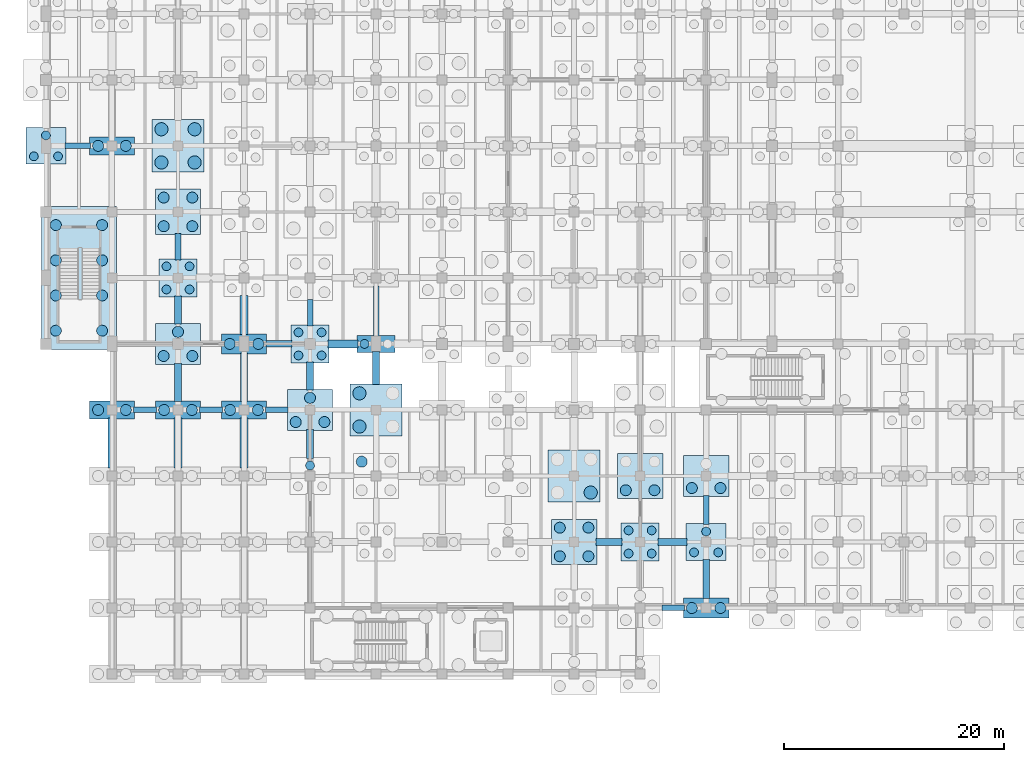
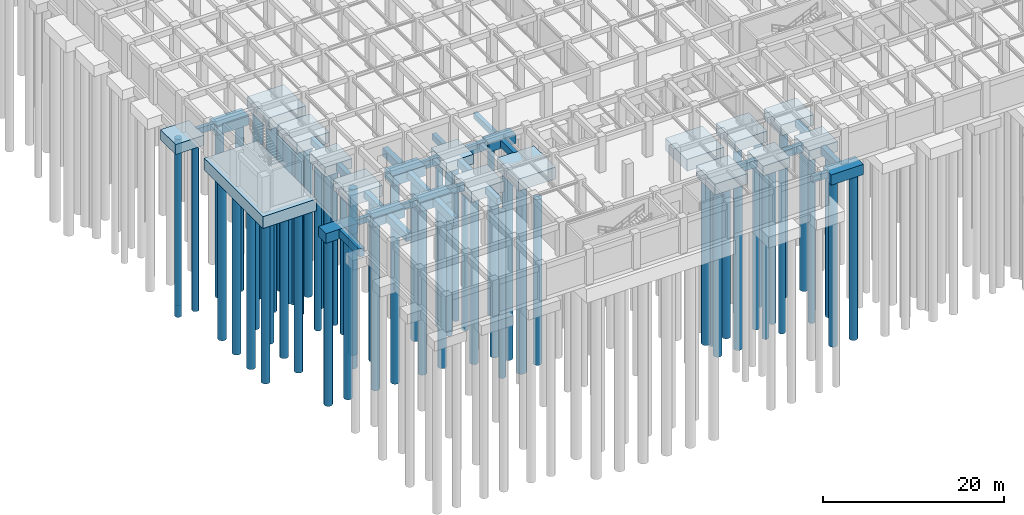
# One storey, part 2 of 54: 66 piles, 46 footings.
"""IFC4 building model written with IfcOpenShell, lengths in metres."""

import ifcopenshell
import ifcopenshell.guid

model = None  # the IFC model being written
_history = None  # IfcOwnerHistory: only IFC2X3 demands one
_inside = {}  # id of a spatial element -> (the spatial element, [elements in it])
_under = {}  # id of a project, library or spatial element -> (it, [spatial elements below it])
_declared = {}  # id of a project -> (the project, [libraries it declares])
_typed = {}  # id of a type object -> (the type object, [elements of that type])
_made_of = {}  # id of a material, layer set ... -> (it, [elements and type objects made of it])


def new_model(schema):
    """Start an empty IFC model of exactly this schema.

    Asked for "IFC4X3", IfcOpenShell would pick the latest addendum, in which some entities
    have other attributes; the version numbers below select the first issue.
    IFC2X3 requires an IfcOwnerHistory on every rooted entity: one is made here for all.
    """
    global model, _history
    if schema == "IFC4X3":
        model = ifcopenshell.file(schema_version=(4, 3, 0, 0))
    else:
        model = ifcopenshell.file(schema=schema)
    _inside.clear()
    _under.clear()
    _declared.clear()
    _typed.clear()
    _made_of.clear()
    _history = None
    if model.schema == "IFC2X3":
        org = make("IfcOrganization", Name="unknown")
        user = make(
            "IfcPersonAndOrganization",
            ThePerson=make("IfcPerson", FamilyName="unknown"),
            TheOrganization=org,
        )
        app = make(
            "IfcApplication",
            ApplicationDeveloper=org,
            Version="unknown",
            ApplicationFullName="unknown",
            ApplicationIdentifier="unknown",
        )
        _history = make(
            "IfcOwnerHistory",
            OwningUser=user,
            OwningApplication=app,
            ChangeAction="ADDED",
            CreationDate=0,
        )
    return model


def make(cls, **values):
    """One entity of the class cls with the attributes given. An attribute that is None is left unset."""
    return model.create_entity(
        cls, **{name: value for name, value in values.items() if value is not None}
    )


def rooted(cls, **values):
    """An entity with a GlobalId (a new one), such as an element, a storey or a relation."""
    return make(cls, GlobalId=ifcopenshell.guid.new(), OwnerHistory=_history, **values)


def si_unit(unit_type, name, prefix=None):
    """IfcSIUnit, for example si_unit("LENGTHUNIT", "METRE", prefix="MILLI")."""
    return make("IfcSIUnit", UnitType=unit_type, Prefix=prefix, Name=name)


def assignment(units):
    """IfcUnitAssignment: the units of a project."""
    return None if units is None else make("IfcUnitAssignment", Units=units)


def point(xyz):
    """IfcCartesianPoint."""
    return None if xyz is None else make("IfcCartesianPoint", Coordinates=xyz)


def direction(xyz):
    """IfcDirection."""
    return None if xyz is None else make("IfcDirection", DirectionRatios=xyz)


def frame(location, z_axis=None, x_axis=None):
    """IfcAxis2Placement3D, a coordinate frame: its origin and axes. An axis left out is left unset."""
    return make(
        "IfcAxis2Placement3D",
        Location=point(location),
        Axis=direction(z_axis),
        RefDirection=direction(x_axis),
    )


def frame_2d(location, x_axis=None):
    """IfcAxis2Placement2D, a coordinate frame in the plane: its origin and x axis."""
    return make(
        "IfcAxis2Placement2D", Location=point(location), RefDirection=direction(x_axis)
    )


def origin():
    """The frame at (0, 0, 0) with its axes left unset."""
    return frame((0.0, 0.0, 0.0))


def origin_2d():
    """The frame at (0, 0) in the plane with its x axis left unset."""
    return frame_2d((0.0, 0.0))


def place(relative_to, where):
    """IfcLocalPlacement: puts the frame where relative to a parent placement (None: the world)."""
    return make(
        "IfcLocalPlacement", PlacementRelTo=relative_to, RelativePlacement=where
    )


def context(
    kind, dimensions, precision=None, world=None, true_north=None, identifier=None
):
    """IfcGeometricRepresentationContext, for example the 3D "Model" context."""
    return make(
        "IfcGeometricRepresentationContext",
        ContextIdentifier=identifier,
        ContextType=kind,
        CoordinateSpaceDimension=dimensions,
        Precision=precision,
        WorldCoordinateSystem=world,
        TrueNorth=true_north,
    )


def subcontext(parent, identifier, kind, view, scale=None):
    """IfcGeometricRepresentationSubContext, for example "Body" below "Model"."""
    return make(
        "IfcGeometricRepresentationSubContext",
        ContextIdentifier=identifier,
        ContextType=kind,
        ParentContext=parent,
        TargetScale=scale,
        TargetView=view,
    )


def project(units=None, contexts=None):
    """IfcProject with its units and contexts."""
    return rooted(
        "IfcProject",
        Name="project",
        RepresentationContexts=contexts,
        UnitsInContext=assignment(units),
    )


def spatial(cls, under=None, at=None, **own):
    """A site, building, storey or space (cls), placed at a placement, below another one or the project."""
    s = rooted(cls, ObjectPlacement=at, **own)
    if under is not None:
        _under.setdefault(under.id(), (under, []))[1].append(s)
    return s


def profile(cls, at=None, kind="AREA", **sizes):
    """A parametric profile (cls). Its sizes go by their IFC names, for example OverallWidth=200.0."""
    return make(cls, ProfileType=kind, Position=at, **sizes)


def rectangle(**sizes):
    """IfcRectangleProfileDef."""
    return profile("IfcRectangleProfileDef", **sizes)


def circle(**sizes):
    """IfcCircleProfileDef."""
    return profile("IfcCircleProfileDef", **sizes)


def extrude(swept, where, along, depth):
    """IfcExtrudedAreaSolid: the profile swept, set in the frame where, extruded along a direction by depth."""
    return make(
        "IfcExtrudedAreaSolid",
        SweptArea=swept,
        Position=where,
        ExtrudedDirection=direction(along),
        Depth=depth,
    )


def shape(context_of_items, identifier, shape_type, items):
    """IfcShapeRepresentation: the items that make up one representation, for example the "Body"."""
    return make(
        "IfcShapeRepresentation",
        ContextOfItems=context_of_items,
        RepresentationIdentifier=identifier,
        RepresentationType=shape_type,
        Items=items,
    )


def material(Name=None, Category=None):
    """IfcMaterial."""
    return make("IfcMaterial", Name=Name, Category=Category)


def material_profile(
    of_material, cross_section, Name=None, Category=None, Priority=None
):
    """IfcMaterialProfile: a cross section and its material."""
    return make(
        "IfcMaterialProfile",
        Name=Name,
        Material=of_material,
        Profile=cross_section,
        Priority=Priority,
        Category=Category,
    )


def profile_set(profiles, Name=None, composite=None):
    """IfcMaterialProfileSet."""
    return make(
        "IfcMaterialProfileSet",
        Name=Name,
        MaterialProfiles=profiles,
        CompositeProfile=composite,
    )


def made_of(thing, what):
    """Note that an element or type object is made of a material, layer set ...; save() writes the relation."""
    if what is not None:
        _made_of.setdefault(what.id(), (what, []))[1].append(thing)
    return thing


def type_object(cls, material=None, **own):
    """A type object (cls), such as IfcWallType, which elements share."""
    return made_of(rooted(cls, **own), material)


def element(
    cls,
    number,
    at=None,
    inside=None,
    cuts=None,
    type_object=None,
    material=None,
    context=None,
    identifier="Body",
    shape_type=None,
    held_by="IfcProductDefinitionShape",
    body=None,
    shapes=None,
    **own,
):
    """One element of the class cls, such as IfcWall. Its Tag is "e" and its number.

    at: its placement. inside: the storey or other place that contains it. cuts: it is an
    opening in that element (IfcRelVoidsElement). A single representation is given by context,
    identifier, shape_type and body (its items); several are given by shapes. held_by: the class
    of the entity that holds the representations. save() writes the other relations.
    """
    e = rooted(cls, Tag="e%d" % number, ObjectPlacement=at, **own)
    if body is not None:
        shapes = [shape(context, identifier, shape_type, body)]
    if shapes is not None:
        e.Representation = make(held_by, Representations=shapes)
    if inside is not None:
        _inside.setdefault(inside.id(), (inside, []))[1].append(e)
    if cuts is not None:
        rooted(
            "IfcRelVoidsElement", RelatingBuildingElement=cuts, RelatedOpeningElement=e
        )
    if type_object is not None:
        _typed.setdefault(type_object.id(), (type_object, []))[1].append(e)
    return made_of(e, material)


def aggregate(whole, parts):
    """IfcRelAggregates: a whole, such as a stair, and the parts it consists of."""
    return rooted("IfcRelAggregates", RelatingObject=whole, RelatedObjects=parts)


def save(model, path):
    """Write the relations noted so far, then the file.

    IfcRelAggregates (storeys below a building ...), IfcRelContainedInSpatialStructure (elements
    in a storey), IfcRelDefinesByType, IfcRelAssociatesMaterial and IfcRelDeclares: one each for
    every whole, place, type object, material and project.
    """
    for whole, parts in _under.values():
        aggregate(whole, parts)
    for where, things in _inside.values():
        rooted(
            "IfcRelContainedInSpatialStructure",
            RelatedElements=things,
            RelatingStructure=where,
        )
    for kind, things in _typed.values():
        rooted("IfcRelDefinesByType", RelatedObjects=things, RelatingType=kind)
    for what, things in _made_of.values():
        rooted("IfcRelAssociatesMaterial", RelatedObjects=things, RelatingMaterial=what)
    for by, libraries in _declared.values():
        rooted("IfcRelDeclares", RelatingContext=by, RelatedDefinitions=libraries)
    model.write(path)


model = new_model("IFC4")

# Units and contexts
model_context = context("Model", 3, precision=1e-05, world=origin(), true_north=direction((0.0, 1.0)))
body_context = subcontext(model_context, "Body", "Model", "MODEL_VIEW")
ifc_project = project(units=[si_unit("LENGTHUNIT", "METRE"), si_unit("AREAUNIT", "SQUARE_METRE"), si_unit("VOLUMEUNIT", "CUBIC_METRE"), si_unit("PLANEANGLEUNIT", "RADIAN"), si_unit("MASSUNIT", "GRAM", prefix="KILO"), si_unit("THERMODYNAMICTEMPERATUREUNIT", "KELVIN"), si_unit("POWERUNIT", "WATT")], contexts=[model_context])

# Site, building, storey
site_placement = place(None, origin())
site = spatial("IfcSite", under=ifc_project, at=site_placement, CompositionType="ELEMENT")
building_placement = place(site_placement, origin())
building = spatial("IfcBuilding", under=site, at=building_placement, Name="Phaisarnlok Congress Hotel", CompositionType="ELEMENT")
storey_placement = place(building_placement, frame((0.0, 0.0, -4.800048828125)))
storey = spatial("IfcBuildingStorey", under=building, at=storey_placement, Name="B01", CompositionType="ELEMENT", Elevation=-4.800048828125)

# Footings
ifc_material_1 = material(Name="Concrete C40/50", Category="concrete")
footing_type_1 = type_object("IfcFootingType", Name="CAP-2P-A", PredefinedType="PILE_CAP", material=ifc_material_1)
footing_1_placement = place(storey_placement, frame((30.0, 42.0, -1.69970703125), z_axis=(0.0, 0.0, 1.0), x_axis=(1.0, 0.0, 0.0)))
element("IfcFooting", 1, at=footing_1_placement, inside=storey, type_object=footing_type_1, Name="Pile cap PC-01 at (30,42)", PredefinedType="PILE_CAP", context=body_context, shape_type="SweptSolid", body=[
    extrude(rectangle(XDim=3.43994140625, YDim=1.5400390625, at=origin_2d()), origin(), (0.0, 0.0, 1.0), 1.199951171875),
])
footing_type_2 = type_object("IfcFootingType", Name="CAP-2P-B", PredefinedType="PILE_CAP", material=ifc_material_1)
for number, where, z_axis, x_axis, name in (
    (2, (6.0, 36.0, -1.7998046875), (0.0, 0.0, 1.0), (1.0, 0.0, 0.0), "Pile cap PC-02 at (6,36)"),
    (3, (6.0, 60.0, -1.7998046875), (0.0, 0.0, 1.0), (1.0, 0.0, 0.0), "Pile cap PC-02 at (6,60)"),
    (4, (12.0, 36.0, -1.7998046875), (0.0, 0.0, 1.0), (1.0, 0.0, 0.0), "Pile cap PC-02 at (12,36)"),
    (5, (18.0, 36.0, -1.7998046875), (0.0, 0.0, 1.0), (1.0, 0.0, 0.0), "Pile cap PC-02 at (18,36)"),
):
    element("IfcFooting", number, at=place(storey_placement, frame(where, z_axis=z_axis, x_axis=x_axis)), inside=storey, type_object=footing_type_2, Name=name, PredefinedType="PILE_CAP", context=body_context, shape_type="SweptSolid", body=[
        extrude(rectangle(XDim=4.080078125, YDim=1.639892578125, at=origin_2d()), origin(), (0.0, 0.0, 1.0), 1.300048828125),
    ])
footing_type_3 = type_object("IfcFootingType", Name="CAP-2P-C", PredefinedType="PILE_CAP", material=ifc_material_1)
for number, where, z_axis, x_axis, name in (
    (6, (18.0, 42.0, -1.89990234375), (0.0, 0.0, 1.0), (1.0, 0.0, 0.0), "Pile cap PC-03 at (18,42)"),
    (7, (60.0, 18.0, -1.89990234375), (0.0, 0.0, 1.0), (1.0, 0.0, 0.0), "Pile cap PC-03 at (60,18)"),
):
    element("IfcFooting", number, at=place(storey_placement, frame(where, z_axis=z_axis, x_axis=x_axis)), inside=storey, type_object=footing_type_3, Name=name, PredefinedType="PILE_CAP", context=body_context, shape_type="SweptSolid", body=[
        extrude(rectangle(XDim=4.1201171875, YDim=1.840087890625, at=origin_2d()), origin(), (0.0, 0.0, 1.0), 1.39990234375),
    ])
footing_type_4 = type_object("IfcFootingType", Name="CAP-3P-A", PredefinedType="PILE_CAP", material=ifc_material_1)
for number, where, z_axis, x_axis, name in (
    (8, (0.0, 60.0, -1.85009765625), (0.0, 0.0, 1.0), (1.0, 0.0, 0.0), "Pile cap PC-04 at (0,60)"),
    (9, (60.0, 24.0, -1.85009765625), (0.0, 0.0, 1.0), (1.0, 0.0, 0.0), "Pile cap PC-04 at (60,24)"),
):
    element("IfcFooting", number, at=place(storey_placement, frame(where, z_axis=z_axis, x_axis=x_axis)), inside=storey, type_object=footing_type_4, Name=name, PredefinedType="PILE_CAP", context=body_context, shape_type="SweptSolid", body=[
        extrude(rectangle(XDim=3.639892578125, YDim=3.340087890625, at=origin_2d()), origin(), (0.0, 0.0, 1.0), 1.35009765625),
    ])
footing_type_5 = type_object("IfcFootingType", Name="CAP-3P-B", PredefinedType="PILE_CAP", material=ifc_material_1)
for number, where, z_axis, x_axis, name in (
    (10, (12.0, 42.0, -1.94970703125), (0.0, 0.0, 1.0), (1.0, 0.0, 0.0), "Pile cap PC-05 at (12,42)"),
    (11, (24.0, 36.0, -1.94970703125), (0.0, 0.0, 1.0), (1.0, 0.0, 0.0), "Pile cap PC-05 at (24,36)"),
    (12, (60.0, 30.0, -1.94970703125), (0.0, 0.0, 1.0), (1.0, 0.0, 0.0), "Pile cap PC-05 at (60,30)"),
):
    element("IfcFooting", number, at=place(storey_placement, frame(where, z_axis=z_axis, x_axis=x_axis)), inside=storey, type_object=footing_type_5, Name=name, PredefinedType="PILE_CAP", context=body_context, shape_type="SweptSolid", body=[
        extrude(rectangle(XDim=4.1201171875, YDim=3.739990234375, at=origin_2d()), origin(), (0.0, 0.0, 1.0), 1.449951171875),
    ])
footing_type_6 = type_object("IfcFootingType", Name="CAP-4P-A", PredefinedType="PILE_CAP", material=ifc_material_1)
for number, where, z_axis, x_axis, name in (
    (13, (12.0, 48.0, -1.7998046875), (0.0, 0.0, 1.0), (1.0, 0.0, 0.0), "Pile cap PC-06 at (12,48)"),
    (14, (24.0, 42.0, -1.7998046875), (0.0, 0.0, 1.0), (1.0, 0.0, 0.0), "Pile cap PC-06 at (24,42)"),
    (15, (54.0, 24.0, -1.7998046875), (0.0, 0.0, 1.0), (1.0, 0.0, 0.0), "Pile cap PC-06 at (54,24)"),
):
    element("IfcFooting", number, at=place(storey_placement, frame(where, z_axis=z_axis, x_axis=x_axis)), inside=storey, type_object=footing_type_6, Name=name, PredefinedType="PILE_CAP", context=body_context, shape_type="SweptSolid", body=[
        extrude(rectangle(XDim=3.43994140625, YDim=3.43994140625, at=origin_2d()), origin(), (0.0, 0.0, 1.0), 1.300048828125),
    ])
footing_type_7 = type_object("IfcFootingType", Name="CAP-4P-B", PredefinedType="PILE_CAP", material=ifc_material_1)
for number, where, z_axis, x_axis, name in (
    (16, (12.0, 54.0, -1.94970703125), (0.0, 0.0, 1.0), (1.0, 0.0, 0.0), "Pile cap PC-07 at (12,54)"),
    (17, (48.0, 24.0, -1.94970703125), (0.0, 0.0, 1.0), (1.0, 0.0, 0.0), "Pile cap PC-07 at (48,24)"),
    (18, (54.0, 30.0, -1.94970703125), (0.0, 0.0, 1.0), (1.0, 0.0, 0.0), "Pile cap PC-07 at (54,30)"),
):
    element("IfcFooting", number, at=place(storey_placement, frame(where, z_axis=z_axis, x_axis=x_axis)), inside=storey, type_object=footing_type_7, Name=name, PredefinedType="PILE_CAP", context=body_context, shape_type="SweptSolid", body=[
        extrude(rectangle(XDim=4.1201171875, YDim=4.1201171875, at=origin_2d()), origin(), (0.0, 0.0, 1.0), 1.449951171875),
    ])
footing_type_8 = type_object("IfcFootingType", Name="CAP-4P-C", PredefinedType="PILE_CAP", material=ifc_material_1)
for number, where, z_axis, x_axis, name in (
    (19, (12.0, 60.0, -2.10009765625), (0.0, 0.0, 1.0), (1.0, 0.0, 0.0), "Pile cap PC-08 at (12,60)"),
    (20, (30.0, 36.0, -2.10009765625), (0.0, 0.0, 1.0), (1.0, 0.0, 0.0), "Pile cap PC-08 at (30,36)"),
    (21, (48.0, 30.0, -2.10009765625), (0.0, 0.0, 1.0), (1.0, 0.0, 0.0), "Pile cap PC-08 at (48,30)"),
):
    element("IfcFooting", number, at=place(storey_placement, frame(where, z_axis=z_axis, x_axis=x_axis)), inside=storey, type_object=footing_type_8, Name=name, PredefinedType="PILE_CAP", context=body_context, shape_type="SweptSolid", body=[
        extrude(rectangle(XDim=4.719970703125, YDim=4.760009765625, at=origin_2d()), origin(), (0.0, 0.0, 1.0), 1.60009765625),
    ])
footing_type_9 = type_object("IfcFootingType", Name="CAP-STAIR-V", PredefinedType="PILE_CAP", material=ifc_material_1)
footing_2_placement = place(storey_placement, frame((3.0, 48.0, -2.10009765625), z_axis=(0.0, 0.0, 1.0), x_axis=(1.0, 0.0, 0.0)))
element("IfcFooting", 22, at=footing_2_placement, inside=storey, type_object=footing_type_9, Name="Stair core pile cap PC-18 (STAIR-W)", PredefinedType="PILE_CAP", context=body_context, shape_type="SweptSolid", body=[
    extrude(rectangle(XDim=6.800048828125, YDim=13.0, at=origin_2d()), origin(), (0.0, 0.0, 1.0), 1.60009765625),
])
ifc_material_profile_1 = material_profile(ifc_material_1, rectangle(XDim=0.5, YDim=0.800048828125, at=origin_2d()), Name="FB-500x800")
ifc_profile_set_1 = profile_set([ifc_material_profile_1], Name="Concrete C40/50")
footing_type_10 = type_object("IfcFootingType", Name="FB-500x800", PredefinedType="FOOTING_BEAM", material=ifc_profile_set_1)
footing_3_placement = place(storey_placement, frame((1.7451171875, 60.0, -0.89990234375), z_axis=(1.0, 0.0, 0.0), x_axis=(0.0, 1.0, 0.0)))
element("IfcFooting", 23, at=footing_3_placement, inside=storey, type_object=footing_type_10, Name="Ground tie beam FB-01", PredefinedType="FOOTING_BEAM", context=body_context, shape_type="SweptSolid", body=[
    extrude(rectangle(XDim=0.5, YDim=0.800048828125, at=origin_2d()), origin(), (0.0, 0.0, 1.0), 2.289794921875),
])
for number, where, z_axis, x_axis, name in (
    (24, (7.965087890625, 36.0, -0.89990234375), (1.0, 0.0, 0.0), (0.0, 1.0, 0.0), "Ground tie beam FB-01"),
    (25, (13.965087890625, 36.0, -0.89990234375), (1.0, 0.0, 0.0), (0.0, 1.0, 0.0), "Ground tie beam FB-01"),
):
    element("IfcFooting", number, at=place(storey_placement, frame(where, z_axis=z_axis, x_axis=x_axis)), inside=storey, type_object=footing_type_10, Name=name, PredefinedType="FOOTING_BEAM", context=body_context, shape_type="SweptSolid", body=[
        extrude(rectangle(XDim=0.5, YDim=0.800048828125, at=origin_2d()), origin(), (0.0, 0.0, 1.0), 2.06982421875),
    ])
footing_4_placement = place(storey_placement, frame((12.0, 49.64501953125, -0.89990234375), z_axis=(0.0, 1.0, 0.0), x_axis=(-1.0, 0.0, 0.0)))
element("IfcFooting", 26, at=footing_4_placement, inside=storey, type_object=footing_type_10, Name="Ground tie beam FB-01", PredefinedType="FOOTING_BEAM", context=body_context, shape_type="SweptSolid", body=[
    extrude(rectangle(XDim=0.5, YDim=0.800048828125, at=origin_2d()), origin(), (0.0, 0.0, 1.0), 2.369873046875),
])
footing_5_placement = place(storey_placement, frame((19.965087890625, 36.0, -0.89990234375), z_axis=(1.0, 0.0, 0.0), x_axis=(0.0, 1.0, 0.0)))
element("IfcFooting", 27, at=footing_5_placement, inside=storey, type_object=footing_type_10, Name="Ground tie beam FB-01", PredefinedType="FOOTING_BEAM", context=body_context, shape_type="SweptSolid", body=[
    extrude(rectangle(XDim=0.5, YDim=0.800048828125, at=origin_2d()), origin(), (0.0, 0.0, 1.0), 2.0498046875),
])
footing_6_placement = place(storey_placement, frame((24.0, 43.64501953125, -0.89990234375), z_axis=(0.0, 1.0, 0.0), x_axis=(-1.0, 0.0, 0.0)))
element("IfcFooting", 28, at=footing_6_placement, inside=storey, type_object=footing_type_10, Name="Ground tie beam FB-01", PredefinedType="FOOTING_BEAM", context=body_context, shape_type="SweptSolid", body=[
    extrude(rectangle(XDim=0.5, YDim=0.800048828125, at=origin_2d()), origin(), (0.0, 0.0, 1.0), 2.369873046875),
])
footing_7_placement = place(storey_placement, frame((30.0, 42.695068359375, -0.89990234375), z_axis=(0.0, 1.0, 0.0), x_axis=(-1.0, 0.0, 0.0)))
element("IfcFooting", 29, at=footing_7_placement, inside=storey, type_object=footing_type_10, Name="Ground tie beam FB-01", PredefinedType="FOOTING_BEAM", context=body_context, shape_type="SweptSolid", body=[
    extrude(rectangle(XDim=0.5, YDim=0.800048828125, at=origin_2d()), origin(), (0.0, 0.0, 1.0), 4.559814453125),
])
footing_8_placement = place(storey_placement, frame((55.985107421875, 18.0, -0.89990234375), z_axis=(1.0, 0.0, 0.0), x_axis=(0.0, 1.0, 0.0)))
element("IfcFooting", 30, at=footing_8_placement, inside=storey, type_object=footing_type_10, Name="Ground tie beam FB-01", PredefinedType="FOOTING_BEAM", context=body_context, shape_type="SweptSolid", body=[
    extrude(rectangle(XDim=0.5, YDim=0.800048828125, at=origin_2d()), origin(), (0.0, 0.0, 1.0), 2.02978515625),
])
footing_9_placement = place(storey_placement, frame((60.0, 25.594970703125, -0.89990234375), z_axis=(0.0, 1.0, 0.0), x_axis=(-1.0, 0.0, 0.0)))
element("IfcFooting", 31, at=footing_9_placement, inside=storey, type_object=footing_type_10, Name="Ground tie beam FB-01", PredefinedType="FOOTING_BEAM", context=body_context, shape_type="SweptSolid", body=[
    extrude(rectangle(XDim=0.5, YDim=0.800048828125, at=origin_2d()), origin(), (0.0, 0.0, 1.0), 2.610107421875),
])
ifc_material_profile_2 = material_profile(ifc_material_1, rectangle(XDim=0.60009765625, YDim=1.0, at=origin_2d()), Name="FB-600x1000")
ifc_profile_set_2 = profile_set([ifc_material_profile_2], Name="Concrete C40/50")
footing_type_11 = type_object("IfcFootingType", Name="FB-600x1000", PredefinedType="FOOTING_BEAM", material=ifc_profile_set_2)
footing_10_placement = place(storey_placement, frame((12.0, 43.794921875, -1.0), z_axis=(0.0, 1.0, 0.0), x_axis=(-1.0, 0.0, 0.0)))
element("IfcFooting", 32, at=footing_10_placement, inside=storey, type_object=footing_type_11, Name="Ground tie beam FB-03", PredefinedType="FOOTING_BEAM", context=body_context, shape_type="SweptSolid", body=[
    extrude(rectangle(XDim=0.60009765625, YDim=1.0, at=origin_2d()), origin(), (0.0, 0.0, 1.0), 2.56005859375),
])
footing_11_placement = place(storey_placement, frame((19.985107421875, 42.0, -1.0), z_axis=(1.0, 0.0, 0.0), x_axis=(0.0, 1.0, 0.0)))
element("IfcFooting", 33, at=footing_11_placement, inside=storey, type_object=footing_type_11, Name="Ground tie beam FB-03", PredefinedType="FOOTING_BEAM", context=body_context, shape_type="SweptSolid", body=[
    extrude(rectangle(XDim=0.60009765625, YDim=1.0, at=origin_2d()), origin(), (0.0, 0.0, 1.0), 2.369873046875),
])
footing_12_placement = place(storey_placement, frame((24.0, 37.794921875, -1.0), z_axis=(0.0, 1.0, 0.0), x_axis=(-1.0, 0.0, 0.0)))
element("IfcFooting", 34, at=footing_12_placement, inside=storey, type_object=footing_type_11, Name="Ground tie beam FB-03", PredefinedType="FOOTING_BEAM", context=body_context, shape_type="SweptSolid", body=[
    extrude(rectangle(XDim=0.60009765625, YDim=1.0, at=origin_2d()), origin(), (0.0, 0.0, 1.0), 2.56005859375),
])
footing_13_placement = place(storey_placement, frame((30.0, 38.304931640625, -1.0), z_axis=(0.0, 1.0, 0.0), x_axis=(-1.0, 0.0, 0.0)))
element("IfcFooting", 35, at=footing_13_placement, inside=storey, type_object=footing_type_11, Name="Ground tie beam FB-03", PredefinedType="FOOTING_BEAM", context=body_context, shape_type="SweptSolid", body=[
    extrude(rectangle(XDim=0.60009765625, YDim=1.0, at=origin_2d()), origin(), (0.0, 0.0, 1.0), 3.0),
])
footing_14_placement = place(storey_placement, frame((49.985107421875, 24.0, -1.0), z_axis=(1.0, 0.0, 0.0), x_axis=(0.0, 1.0, 0.0)))
element("IfcFooting", 36, at=footing_14_placement, inside=storey, type_object=footing_type_11, Name="Ground tie beam FB-03", PredefinedType="FOOTING_BEAM", context=body_context, shape_type="SweptSolid", body=[
    extrude(rectangle(XDim=0.60009765625, YDim=1.0, at=origin_2d()), origin(), (0.0, 0.0, 1.0), 2.369873046875),
])
footing_15_placement = place(storey_placement, frame((55.64501953125, 24.0, -1.0), z_axis=(1.0, 0.0, 0.0), x_axis=(0.0, 1.0, 0.0)))
element("IfcFooting", 37, at=footing_15_placement, inside=storey, type_object=footing_type_11, Name="Ground tie beam FB-03", PredefinedType="FOOTING_BEAM", context=body_context, shape_type="SweptSolid", body=[
    extrude(rectangle(XDim=0.60009765625, YDim=1.0, at=origin_2d()), origin(), (0.0, 0.0, 1.0), 2.60986328125),
])
footing_16_placement = place(storey_placement, frame((60.0, 18.844970703125, -1.0), z_axis=(0.0, 1.0, 0.0), x_axis=(-1.0, 0.0, 0.0)))
element("IfcFooting", 38, at=footing_16_placement, inside=storey, type_object=footing_type_11, Name="Ground tie beam FB-03", PredefinedType="FOOTING_BEAM", context=body_context, shape_type="SweptSolid", body=[
    extrude(rectangle(XDim=0.60009765625, YDim=1.0, at=origin_2d()), origin(), (0.0, 0.0, 1.0), 3.56005859375),
])
ifc_material_profile_3 = material_profile(ifc_material_1, rectangle(XDim=0.60009765625, YDim=0.89990234375, at=origin_2d()), Name="FB-600x900")
ifc_profile_set_3 = profile_set([ifc_material_profile_3], Name="Concrete C40/50")
footing_type_12 = type_object("IfcFootingType", Name="FB-600x900", PredefinedType="FOOTING_BEAM", material=ifc_profile_set_3)
footing_17_placement = place(storey_placement, frame((12.0, 36.7451171875, -0.949951171875), z_axis=(0.0, 1.0, 0.0), x_axis=(-1.0, 0.0, 0.0)))
element("IfcFooting", 39, at=footing_17_placement, inside=storey, type_object=footing_type_12, Name="Ground tie beam FB-02", PredefinedType="FOOTING_BEAM", context=body_context, shape_type="SweptSolid", body=[
    extrude(rectangle(XDim=0.60009765625, YDim=0.89990234375, at=origin_2d()), origin(), (0.0, 0.0, 1.0), 3.4599609375),
])
footing_18_placement = place(storey_placement, frame((18.0, 36.7451171875, -0.949951171875), z_axis=(0.0, 1.0, 0.0), x_axis=(-1.0, 0.0, 0.0)))
element("IfcFooting", 40, at=footing_18_placement, inside=storey, type_object=footing_type_12, Name="Ground tie beam FB-02", PredefinedType="FOOTING_BEAM", context=body_context, shape_type="SweptSolid", body=[
    extrude(rectangle(XDim=0.60009765625, YDim=0.89990234375, at=origin_2d()), origin(), (0.0, 0.0, 1.0), 4.409912109375),
])
footing_19_placement = place(storey_placement, frame((24.0, 31.594970703125, -0.949951171875), z_axis=(0.0, 1.0, 0.0), x_axis=(-1.0, 0.0, 0.0)))
element("IfcFooting", 41, at=footing_19_placement, inside=storey, type_object=footing_type_12, Name="Ground tie beam FB-02", PredefinedType="FOOTING_BEAM", context=body_context, shape_type="SweptSolid", body=[
    extrude(rectangle(XDim=0.60009765625, YDim=0.89990234375, at=origin_2d()), origin(), (0.0, 0.0, 1.0), 2.610107421875),
])
ifc_material_profile_4 = material_profile(ifc_material_1, rectangle(XDim=0.699951171875, YDim=1.10009765625, at=origin_2d()), Name="FB-700x1100")
ifc_profile_set_4 = profile_set([ifc_material_profile_4], Name="Concrete C40/50")
footing_type_13 = type_object("IfcFootingType", Name="FB-700x1100", PredefinedType="FOOTING_BEAM", material=ifc_profile_set_4)
for number, where, z_axis, x_axis, name in (
    (42, (6.0, 30.7451171875, -1.050048828125), (0.0, 1.0, 0.0), (-1.0, 0.0, 0.0), "Ground tie beam FB-04"),
    (43, (12.0, 30.7451171875, -1.050048828125), (0.0, 1.0, 0.0), (-1.0, 0.0, 0.0), "Ground tie beam FB-04"),
    (44, (18.0, 30.7451171875, -1.050048828125), (0.0, 1.0, 0.0), (-1.0, 0.0, 0.0), "Ground tie beam FB-04"),
):
    element("IfcFooting", number, at=place(storey_placement, frame(where, z_axis=z_axis, x_axis=x_axis)), inside=storey, type_object=footing_type_13, Name=name, PredefinedType="FOOTING_BEAM", context=body_context, shape_type="SweptSolid", body=[
        extrude(rectangle(XDim=0.699951171875, YDim=1.10009765625, at=origin_2d()), origin(), (0.0, 0.0, 1.0), 4.509765625),
    ])
footing_20_placement = place(storey_placement, frame((18.0, 42.844970703125, -1.050048828125), z_axis=(0.0, 1.0, 0.0), x_axis=(-1.0, 0.0, 0.0)))
element("IfcFooting", 45, at=footing_20_placement, inside=storey, type_object=footing_type_13, Name="Ground tie beam FB-04", PredefinedType="FOOTING_BEAM", context=body_context, shape_type="SweptSolid", body=[
    extrude(rectangle(XDim=0.699951171875, YDim=1.10009765625, at=origin_2d()), origin(), (0.0, 0.0, 1.0), 3.56005859375),
])
footing_21_placement = place(storey_placement, frame((25.64501953125, 42.0, -1.050048828125), z_axis=(1.0, 0.0, 0.0), x_axis=(0.0, 1.0, 0.0)))
element("IfcFooting", 46, at=footing_21_placement, inside=storey, type_object=footing_type_13, Name="Ground tie beam FB-04", PredefinedType="FOOTING_BEAM", context=body_context, shape_type="SweptSolid", body=[
    extrude(rectangle(XDim=0.699951171875, YDim=1.10009765625, at=origin_2d()), origin(), (0.0, 0.0, 1.0), 2.7099609375),
])

# Piles
ifc_material_2 = material(Name="Concrete C35/45", Category="concrete")
ifc_material_profile_5 = material_profile(ifc_material_2, circle(Radius=0.5, at=origin_2d()), Name="BORED PILE D1000")
ifc_profile_set_5 = profile_set([ifc_material_profile_5], Name="Concrete C35/45")
pile_type_1 = type_object("IfcPileType", Name="PILE-D1000", PredefinedType="BORED", material=ifc_profile_set_5)
for number, where, z_axis, x_axis, name in (
    (47, (0.89990234375, 43.199951171875, -2.0), (0.0, 0.0, -1.0), (1.0, 0.0, 0.0), "Bored pile PL-02 (STAIR-W-01)"),
    (48, (0.89990234375, 46.39990234375, -2.0), (0.0, 0.0, -1.0), (1.0, 0.0, 0.0), "Bored pile PL-02 (STAIR-W-02)"),
    (49, (0.89990234375, 49.60009765625, -2.0), (0.0, 0.0, -1.0), (1.0, 0.0, 0.0), "Bored pile PL-02 (STAIR-W-03)"),
    (50, (0.89990234375, 52.800048828125, -2.0), (0.0, 0.0, -1.0), (1.0, 0.0, 0.0), "Bored pile PL-02 (STAIR-W-04)"),
    (51, (5.10009765625, 43.199951171875, -2.0), (0.0, 0.0, -1.0), (1.0, 0.0, 0.0), "Bored pile PL-02 (STAIR-W-05)"),
    (52, (5.10009765625, 46.39990234375, -2.0), (0.0, 0.0, -1.0), (1.0, 0.0, 0.0), "Bored pile PL-02 (STAIR-W-06)"),
    (53, (5.10009765625, 49.60009765625, -2.0), (0.0, 0.0, -1.0), (1.0, 0.0, 0.0), "Bored pile PL-02 (STAIR-W-07)"),
    (54, (5.10009765625, 52.800048828125, -2.0), (0.0, 0.0, -1.0), (1.0, 0.0, 0.0), "Bored pile PL-02 (STAIR-W-08)"),
):
    element("IfcPile", number, at=place(storey_placement, frame(where, z_axis=z_axis, x_axis=x_axis)), inside=storey, type_object=pile_type_1, Name=name, PredefinedType="BORED", context=body_context, shape_type="SweptSolid", body=[
        extrude(circle(Radius=0.5, at=origin_2d()), origin(), (0.0, 0.0, 1.0), 22.199951171875),
    ])
for number, where, z_axis, x_axis, name in (
    (55, (4.739990234375, 36.0, -1.699951171875), (0.0, 0.0, -1.0), (1.0, 0.0, 0.0), "Bored pile PL-02 (FTG-B01-006-036-1)"),
    (56, (7.260009765625, 36.0, -1.699951171875), (0.0, 0.0, -1.0), (1.0, 0.0, 0.0), "Bored pile PL-02 (FTG-B01-006-036-2)"),
    (57, (4.739990234375, 60.0, -1.699951171875), (0.0, 0.0, -1.0), (1.0, 0.0, 0.0), "Bored pile PL-02 (FTG-B01-006-060-1)"),
    (58, (7.260009765625, 60.0, -1.699951171875), (0.0, 0.0, -1.0), (1.0, 0.0, 0.0), "Bored pile PL-02 (FTG-B01-006-060-2)"),
    (59, (10.739990234375, 36.0, -1.699951171875), (0.0, 0.0, -1.0), (1.0, 0.0, 0.0), "Bored pile PL-02 (FTG-B01-012-036-1)"),
    (60, (13.260009765625, 36.0, -1.699951171875), (0.0, 0.0, -1.0), (1.0, 0.0, 0.0), "Bored pile PL-02 (FTG-B01-012-036-2)"),
):
    element("IfcPile", number, at=place(storey_placement, frame(where, z_axis=z_axis, x_axis=x_axis)), inside=storey, type_object=pile_type_1, Name=name, PredefinedType="BORED", context=body_context, shape_type="SweptSolid", body=[
        extrude(circle(Radius=0.5, at=origin_2d()), origin(), (0.0, 0.0, 1.0), 22.5),
    ])
for number, where, z_axis, x_axis, name in (
    (61, (10.699951171875, 40.89990234375, -1.849853515625), (0.0, 0.0, -1.0), (1.0, 0.0, 0.0), "Bored pile PL-02 (FTG-B01-012-042-1)"),
    (62, (13.300048828125, 40.89990234375, -1.849853515625), (0.0, 0.0, -1.0), (1.0, 0.0, 0.0), "Bored pile PL-02 (FTG-B01-012-042-2)"),
    (63, (12.0, 43.10009765625, -1.849853515625), (0.0, 0.0, -1.0), (1.0, 0.0, 0.0), "Bored pile PL-02 (FTG-B01-012-042-3)"),
    (64, (10.699951171875, 52.699951171875, -1.849853515625), (0.0, 0.0, -1.0), (1.0, 0.0, 0.0), "Bored pile PL-02 (FTG-B01-012-054-1)"),
    (65, (13.300048828125, 52.699951171875, -1.849853515625), (0.0, 0.0, -1.0), (1.0, 0.0, 0.0), "Bored pile PL-02 (FTG-B01-012-054-2)"),
    (66, (10.699951171875, 55.300048828125, -1.849853515625), (0.0, 0.0, -1.0), (1.0, 0.0, 0.0), "Bored pile PL-02 (FTG-B01-012-054-3)"),
    (67, (13.300048828125, 55.300048828125, -1.849853515625), (0.0, 0.0, -1.0), (1.0, 0.0, 0.0), "Bored pile PL-02 (FTG-B01-012-054-4)"),
):
    element("IfcPile", number, at=place(storey_placement, frame(where, z_axis=z_axis, x_axis=x_axis)), inside=storey, type_object=pile_type_1, Name=name, PredefinedType="BORED", context=body_context, shape_type="SweptSolid", body=[
        extrude(circle(Radius=0.5, at=origin_2d()), origin(), (0.0, 0.0, 1.0), 22.35009765625),
    ])
for number, where, z_axis, x_axis, name in (
    (68, (16.739990234375, 36.0, -1.699951171875), (0.0, 0.0, -1.0), (1.0, 0.0, 0.0), "Bored pile PL-02 (FTG-B01-018-036-1)"),
    (69, (19.260009765625, 36.0, -1.699951171875), (0.0, 0.0, -1.0), (1.0, 0.0, 0.0), "Bored pile PL-02 (FTG-B01-018-036-2)"),
):
    element("IfcPile", number, at=place(storey_placement, frame(where, z_axis=z_axis, x_axis=x_axis)), inside=storey, type_object=pile_type_1, Name=name, PredefinedType="BORED", context=body_context, shape_type="SweptSolid", body=[
        extrude(circle(Radius=0.5, at=origin_2d()), origin(), (0.0, 0.0, 1.0), 22.5),
    ])
for number, where, z_axis, x_axis, name in (
    (70, (16.699951171875, 42.0, -1.800048828125), (0.0, 0.0, -1.0), (1.0, 0.0, 0.0), "Bored pile PL-02 (FTG-B01-018-042-1)"),
    (71, (19.300048828125, 42.0, -1.800048828125), (0.0, 0.0, -1.0), (1.0, 0.0, 0.0), "Bored pile PL-02 (FTG-B01-018-042-2)"),
):
    element("IfcPile", number, at=place(storey_placement, frame(where, z_axis=z_axis, x_axis=x_axis)), inside=storey, type_object=pile_type_1, Name=name, PredefinedType="BORED", context=body_context, shape_type="SweptSolid", body=[
        extrude(circle(Radius=0.5, at=origin_2d()), origin(), (0.0, 0.0, 1.0), 22.39990234375),
    ])
for number, where, z_axis, x_axis, name in (
    (72, (22.699951171875, 34.89990234375, -1.849853515625), (0.0, 0.0, -1.0), (1.0, 0.0, 0.0), "Bored pile PL-02 (FTG-B01-024-036-1)"),
    (73, (25.300048828125, 34.89990234375, -1.849853515625), (0.0, 0.0, -1.0), (1.0, 0.0, 0.0), "Bored pile PL-02 (FTG-B01-024-036-2)"),
    (74, (24.0, 37.10009765625, -1.849853515625), (0.0, 0.0, -1.0), (1.0, 0.0, 0.0), "Bored pile PL-02 (FTG-B01-024-036-3)"),
    (75, (28.699951171875, 31.300048828125, -1.849853515625), (0.0, 0.0, -1.0), (1.0, 0.0, 0.0), "Bored pile PL-02 (FTG-B01-030-030-3)"),
    (76, (46.699951171875, 22.699951171875, -1.849853515625), (0.0, 0.0, -1.0), (1.0, 0.0, 0.0), "Bored pile PL-02 (FTG-B01-048-024-1)"),
    (77, (49.300048828125, 22.699951171875, -1.849853515625), (0.0, 0.0, -1.0), (1.0, 0.0, 0.0), "Bored pile PL-02 (FTG-B01-048-024-2)"),
    (78, (46.699951171875, 25.300048828125, -1.849853515625), (0.0, 0.0, -1.0), (1.0, 0.0, 0.0), "Bored pile PL-02 (FTG-B01-048-024-3)"),
    (79, (49.300048828125, 25.300048828125, -1.849853515625), (0.0, 0.0, -1.0), (1.0, 0.0, 0.0), "Bored pile PL-02 (FTG-B01-048-024-4)"),
    (80, (52.699951171875, 28.699951171875, -1.849853515625), (0.0, 0.0, -1.0), (1.0, 0.0, 0.0), "Bored pile PL-02 (FTG-B01-054-030-1)"),
    (81, (55.300048828125, 28.699951171875, -1.849853515625), (0.0, 0.0, -1.0), (1.0, 0.0, 0.0), "Bored pile PL-02 (FTG-B01-054-030-2)"),
):
    element("IfcPile", number, at=place(storey_placement, frame(where, z_axis=z_axis, x_axis=x_axis)), inside=storey, type_object=pile_type_1, Name=name, PredefinedType="BORED", context=body_context, shape_type="SweptSolid", body=[
        extrude(circle(Radius=0.5, at=origin_2d()), origin(), (0.0, 0.0, 1.0), 22.35009765625),
    ])
for number, where, z_axis, x_axis, name in (
    (82, (58.699951171875, 18.0, -1.800048828125), (0.0, 0.0, -1.0), (1.0, 0.0, 0.0), "Bored pile PL-02 (FTG-B01-060-018-1)"),
    (83, (61.300048828125, 18.0, -1.800048828125), (0.0, 0.0, -1.0), (1.0, 0.0, 0.0), "Bored pile PL-02 (FTG-B01-060-018-2)"),
):
    element("IfcPile", number, at=place(storey_placement, frame(where, z_axis=z_axis, x_axis=x_axis)), inside=storey, type_object=pile_type_1, Name=name, PredefinedType="BORED", context=body_context, shape_type="SweptSolid", body=[
        extrude(circle(Radius=0.5, at=origin_2d()), origin(), (0.0, 0.0, 1.0), 22.39990234375),
    ])
for number, where, z_axis, x_axis, name in (
    (84, (58.699951171875, 28.89990234375, -1.849853515625), (0.0, 0.0, -1.0), (1.0, 0.0, 0.0), "Bored pile PL-02 (FTG-B01-060-030-1)"),
    (85, (61.300048828125, 28.89990234375, -1.849853515625), (0.0, 0.0, -1.0), (1.0, 0.0, 0.0), "Bored pile PL-02 (FTG-B01-060-030-2)"),
):
    element("IfcPile", number, at=place(storey_placement, frame(where, z_axis=z_axis, x_axis=x_axis)), inside=storey, type_object=pile_type_1, Name=name, PredefinedType="BORED", context=body_context, shape_type="SweptSolid", body=[
        extrude(circle(Radius=0.5, at=origin_2d()), origin(), (0.0, 0.0, 1.0), 22.35009765625),
    ])
ifc_material_profile_6 = material_profile(ifc_material_2, circle(Radius=0.60009765625, at=origin_2d()), Name="BORED PILE D1200")
ifc_profile_set_6 = profile_set([ifc_material_profile_6], Name="Concrete C35/45")
pile_type_2 = type_object("IfcPileType", Name="PILE-D1200", PredefinedType="BORED", material=ifc_profile_set_6)
for number, where, z_axis, x_axis, name in (
    (86, (10.489990234375, 58.489990234375, -2.0), (0.0, 0.0, -1.0), (1.0, 0.0, 0.0), "Bored pile PL-03 (FTG-B01-012-060-1)"),
    (87, (13.510009765625, 58.489990234375, -2.0), (0.0, 0.0, -1.0), (1.0, 0.0, 0.0), "Bored pile PL-03 (FTG-B01-012-060-2)"),
    (88, (10.489990234375, 61.510009765625, -2.0), (0.0, 0.0, -1.0), (1.0, 0.0, 0.0), "Bored pile PL-03 (FTG-B01-012-060-3)"),
    (89, (13.510009765625, 61.510009765625, -2.0), (0.0, 0.0, -1.0), (1.0, 0.0, 0.0), "Bored pile PL-03 (FTG-B01-012-060-4)"),
    (90, (28.489990234375, 34.489990234375, -2.0), (0.0, 0.0, -1.0), (1.0, 0.0, 0.0), "Bored pile PL-03 (FTG-B01-030-036-1)"),
    (91, (28.489990234375, 37.510009765625, -2.0), (0.0, 0.0, -1.0), (1.0, 0.0, 0.0), "Bored pile PL-03 (FTG-B01-030-036-3)"),
    (92, (49.510009765625, 28.489990234375, -2.0), (0.0, 0.0, -1.0), (1.0, 0.0, 0.0), "Bored pile PL-03 (FTG-B01-048-030-2)"),
):
    element("IfcPile", number, at=place(storey_placement, frame(where, z_axis=z_axis, x_axis=x_axis)), inside=storey, type_object=pile_type_2, Name=name, PredefinedType="BORED", context=body_context, shape_type="SweptSolid", body=[
        extrude(circle(Radius=0.60009765625, at=origin_2d()), origin(), (0.0, 0.0, 1.0), 25.199951171875),
    ])
ifc_material_profile_7 = material_profile(ifc_material_2, circle(Radius=0.39990234375, at=origin_2d()), Name="BORED PILE D800")
ifc_profile_set_7 = profile_set([ifc_material_profile_7], Name="Concrete C35/45")
pile_type_3 = type_object("IfcPileType", Name="PILE-D800", PredefinedType="BORED", material=ifc_profile_set_7)
for number, where, z_axis, x_axis, name in (
    (93, (-1.10009765625, 59.050048828125, -1.75), (0.0, 0.0, -1.0), (1.0, 0.0, 0.0), "Bored pile PL-01 (FTG-B01-000-060-1)"),
    (94, (1.10009765625, 59.050048828125, -1.75), (0.0, 0.0, -1.0), (1.0, 0.0, 0.0), "Bored pile PL-01 (FTG-B01-000-060-2)"),
    (95, (0.0, 60.949951171875, -1.75), (0.0, 0.0, -1.0), (1.0, 0.0, 0.0), "Bored pile PL-01 (FTG-B01-000-060-3)"),
):
    element("IfcPile", number, at=place(storey_placement, frame(where, z_axis=z_axis, x_axis=x_axis)), inside=storey, type_object=pile_type_3, Name=name, PredefinedType="BORED", context=body_context, shape_type="SweptSolid", body=[
        extrude(circle(Radius=0.39990234375, at=origin_2d()), origin(), (0.0, 0.0, 1.0), 22.449951171875),
    ])
for number, where, z_axis, x_axis, name in (
    (96, (10.949951171875, 46.949951171875, -1.699951171875), (0.0, 0.0, -1.0), (1.0, 0.0, 0.0), "Bored pile PL-01 (FTG-B01-012-048-1)"),
    (97, (13.050048828125, 46.949951171875, -1.699951171875), (0.0, 0.0, -1.0), (1.0, 0.0, 0.0), "Bored pile PL-01 (FTG-B01-012-048-2)"),
    (98, (10.949951171875, 49.050048828125, -1.699951171875), (0.0, 0.0, -1.0), (1.0, 0.0, 0.0), "Bored pile PL-01 (FTG-B01-012-048-3)"),
    (99, (13.050048828125, 49.050048828125, -1.699951171875), (0.0, 0.0, -1.0), (1.0, 0.0, 0.0), "Bored pile PL-01 (FTG-B01-012-048-4)"),
):
    element("IfcPile", number, at=place(storey_placement, frame(where, z_axis=z_axis, x_axis=x_axis)), inside=storey, type_object=pile_type_3, Name=name, PredefinedType="BORED", context=body_context, shape_type="SweptSolid", body=[
        extrude(circle(Radius=0.39990234375, at=origin_2d()), origin(), (0.0, 0.0, 1.0), 22.5),
    ])
pile_1_placement = place(storey_placement, frame((24.0, 30.949951171875, -1.75), z_axis=(0.0, 0.0, -1.0), x_axis=(1.0, 0.0, 0.0)))
element("IfcPile", 100, at=pile_1_placement, inside=storey, type_object=pile_type_3, Name="Bored pile PL-01 (FTG-B01-024-030-3)", PredefinedType="BORED", context=body_context, shape_type="SweptSolid", body=[
    extrude(circle(Radius=0.39990234375, at=origin_2d()), origin(), (0.0, 0.0, 1.0), 22.449951171875),
])
for number, where, z_axis, x_axis, name in (
    (101, (22.949951171875, 40.949951171875, -1.699951171875), (0.0, 0.0, -1.0), (1.0, 0.0, 0.0), "Bored pile PL-01 (FTG-B01-024-042-1)"),
    (102, (25.050048828125, 40.949951171875, -1.699951171875), (0.0, 0.0, -1.0), (1.0, 0.0, 0.0), "Bored pile PL-01 (FTG-B01-024-042-2)"),
    (103, (22.949951171875, 43.050048828125, -1.699951171875), (0.0, 0.0, -1.0), (1.0, 0.0, 0.0), "Bored pile PL-01 (FTG-B01-024-042-3)"),
    (104, (25.050048828125, 43.050048828125, -1.699951171875), (0.0, 0.0, -1.0), (1.0, 0.0, 0.0), "Bored pile PL-01 (FTG-B01-024-042-4)"),
):
    element("IfcPile", number, at=place(storey_placement, frame(where, z_axis=z_axis, x_axis=x_axis)), inside=storey, type_object=pile_type_3, Name=name, PredefinedType="BORED", context=body_context, shape_type="SweptSolid", body=[
        extrude(circle(Radius=0.39990234375, at=origin_2d()), origin(), (0.0, 0.0, 1.0), 22.5),
    ])
pile_2_placement = place(storey_placement, frame((28.949951171875, 42.0, -1.599853515625), z_axis=(0.0, 0.0, -1.0), x_axis=(1.0, 0.0, 0.0)))
element("IfcPile", 105, at=pile_2_placement, inside=storey, type_object=pile_type_3, Name="Bored pile PL-01 (FTG-B01-030-042-1)", PredefinedType="BORED", context=body_context, shape_type="SweptSolid", body=[
    extrude(circle(Radius=0.39990234375, at=origin_2d()), origin(), (0.0, 0.0, 1.0), 22.60009765625),
])
for number, where, z_axis, x_axis, name in (
    (106, (52.949951171875, 22.949951171875, -1.699951171875), (0.0, 0.0, -1.0), (1.0, 0.0, 0.0), "Bored pile PL-01 (FTG-B01-054-024-1)"),
    (107, (55.050048828125, 22.949951171875, -1.699951171875), (0.0, 0.0, -1.0), (1.0, 0.0, 0.0), "Bored pile PL-01 (FTG-B01-054-024-2)"),
    (108, (52.949951171875, 25.050048828125, -1.699951171875), (0.0, 0.0, -1.0), (1.0, 0.0, 0.0), "Bored pile PL-01 (FTG-B01-054-024-3)"),
    (109, (55.050048828125, 25.050048828125, -1.699951171875), (0.0, 0.0, -1.0), (1.0, 0.0, 0.0), "Bored pile PL-01 (FTG-B01-054-024-4)"),
):
    element("IfcPile", number, at=place(storey_placement, frame(where, z_axis=z_axis, x_axis=x_axis)), inside=storey, type_object=pile_type_3, Name=name, PredefinedType="BORED", context=body_context, shape_type="SweptSolid", body=[
        extrude(circle(Radius=0.39990234375, at=origin_2d()), origin(), (0.0, 0.0, 1.0), 22.5),
    ])
for number, where, z_axis, x_axis, name in (
    (110, (58.89990234375, 23.050048828125, -1.75), (0.0, 0.0, -1.0), (1.0, 0.0, 0.0), "Bored pile PL-01 (FTG-B01-060-024-1)"),
    (111, (61.10009765625, 23.050048828125, -1.75), (0.0, 0.0, -1.0), (1.0, 0.0, 0.0), "Bored pile PL-01 (FTG-B01-060-024-2)"),
    (112, (60.0, 24.949951171875, -1.75), (0.0, 0.0, -1.0), (1.0, 0.0, 0.0), "Bored pile PL-01 (FTG-B01-060-024-3)"),
):
    element("IfcPile", number, at=place(storey_placement, frame(where, z_axis=z_axis, x_axis=x_axis)), inside=storey, type_object=pile_type_3, Name=name, PredefinedType="BORED", context=body_context, shape_type="SweptSolid", body=[
        extrude(circle(Radius=0.39990234375, at=origin_2d()), origin(), (0.0, 0.0, 1.0), 22.449951171875),
    ])

save(model, "model.ifc")
